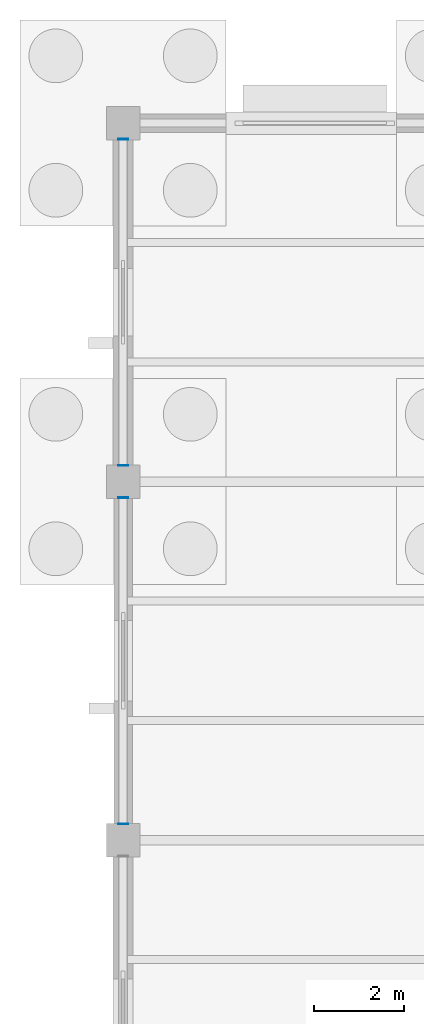
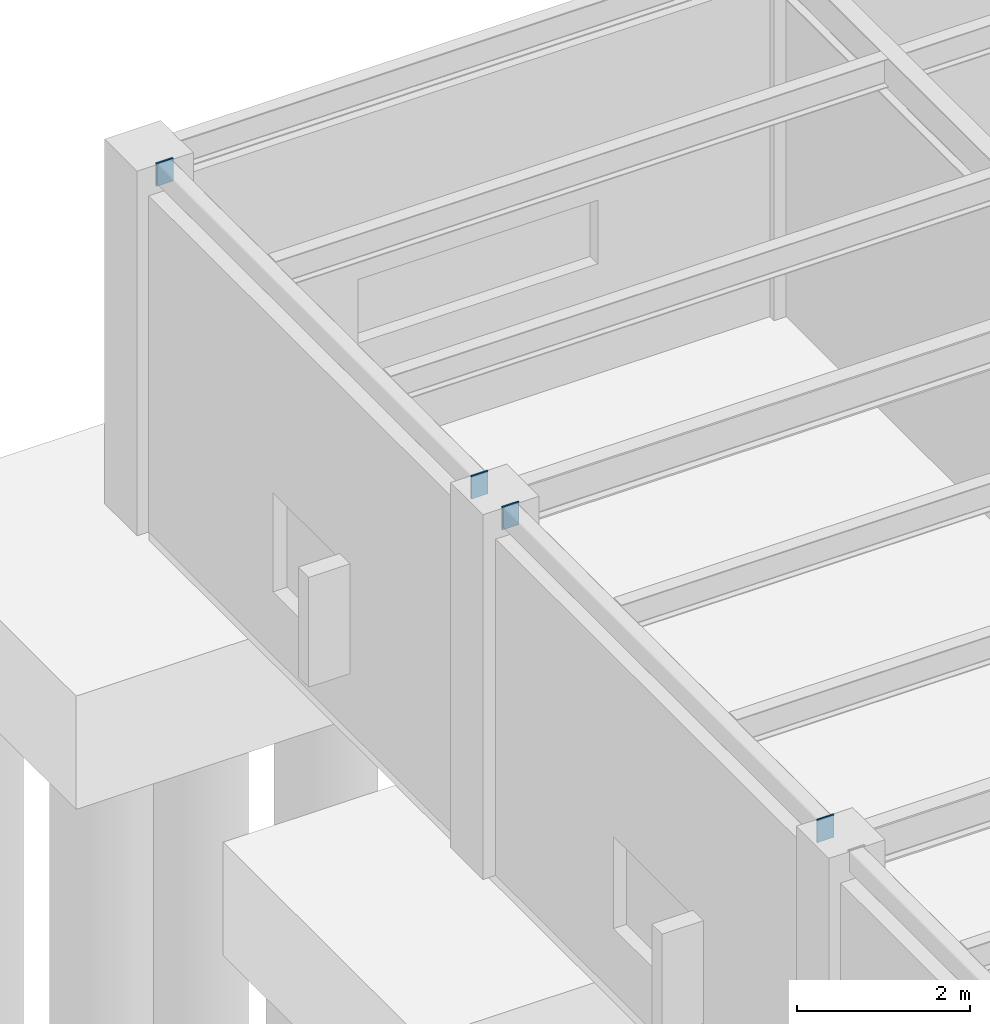
# One storey, part 106 of 138: 4 discrete accessories.
"""IFC4 building model written with IfcOpenShell, lengths in metres."""

from ifc_helpers import new_model, si_unit, direction, frame, origin, origin_2d, place, context, subcontext, project, spatial, rectangle, extrude, material, layer, layer_set, type_object, element, save


model = new_model("IFC4")

# Units and contexts
model_context = context("Model", 3, precision=1e-05, world=origin(), true_north=direction((0.0, 1.0)))
body_context = subcontext(model_context, "Body", "Model", "MODEL_VIEW")
ifc_project = project(units=[si_unit("LENGTHUNIT", "METRE"), si_unit("AREAUNIT", "SQUARE_METRE"), si_unit("VOLUMEUNIT", "CUBIC_METRE"), si_unit("PLANEANGLEUNIT", "RADIAN"), si_unit("MASSUNIT", "GRAM", prefix="KILO")], contexts=[model_context])

# Site, building, storey
site_placement = place(None, origin())
site = spatial("IfcSite", under=ifc_project, at=site_placement, CompositionType="ELEMENT")
building_placement = place(site_placement, origin())
building = spatial("IfcBuilding", under=site, at=building_placement, Name="Kranzveld Transit Interchange", CompositionType="ELEMENT")
storey_placement = place(building_placement, origin())
storey = spatial("IfcBuildingStorey", under=building, at=storey_placement, Name="L00", CompositionType="ELEMENT", Elevation=0.0)

# Discrete accessories
ifc_material = material(Name="Steel S355JR", Category="steel")
ifc_layer = layer(ifc_material, 0.02001953125)
ifc_layer_set = layer_set([ifc_layer], Name="Steel S355JR")
discrete_accessory_type = type_object("IfcDiscreteAccessoryType", Name="Hollow Section End Cap Bracket 20 S355JR", PredefinedType="BRACKET", material=ifc_layer_set)
for number, where, z_axis, x_axis, name in (
    (1, (0.0, 96.368896484375, 5.0), (0.0, -1.0, 0.0), (1.0, 0.0, 0.0), "Hollow Section End Cap SP-RHS300-1"),
    (2, (0.0, 103.631103515625, 5.0), (0.0, 1.0, 0.0), (-1.0, 0.0, 0.0), "Hollow Section End Cap SP-RHS300-2"),
    (3, (0.0, 104.368896484375, 5.0), (0.0, -1.0, 0.0), (1.0, 0.0, 0.0), "Hollow Section End Cap SP-RHS300-1"),
    (4, (0.0, 111.631103515625, 5.0), (0.0, 1.0, 0.0), (-1.0, 0.0, 0.0), "Hollow Section End Cap SP-RHS300-2"),
):
    element("IfcDiscreteAccessory", number, at=place(storey_placement, frame(where, z_axis=z_axis, x_axis=x_axis)), inside=storey, type_object=discrete_accessory_type, Name=name, PredefinedType="BRACKET", context=body_context, shape_type="SweptSolid", body=[
        extrude(rectangle(XDim=0.22412109375, YDim=0.323974609375, at=origin_2d()), origin(), (0.0, 0.0, 1.0), 0.019775390625),
    ])

save(model, "model.ifc")
